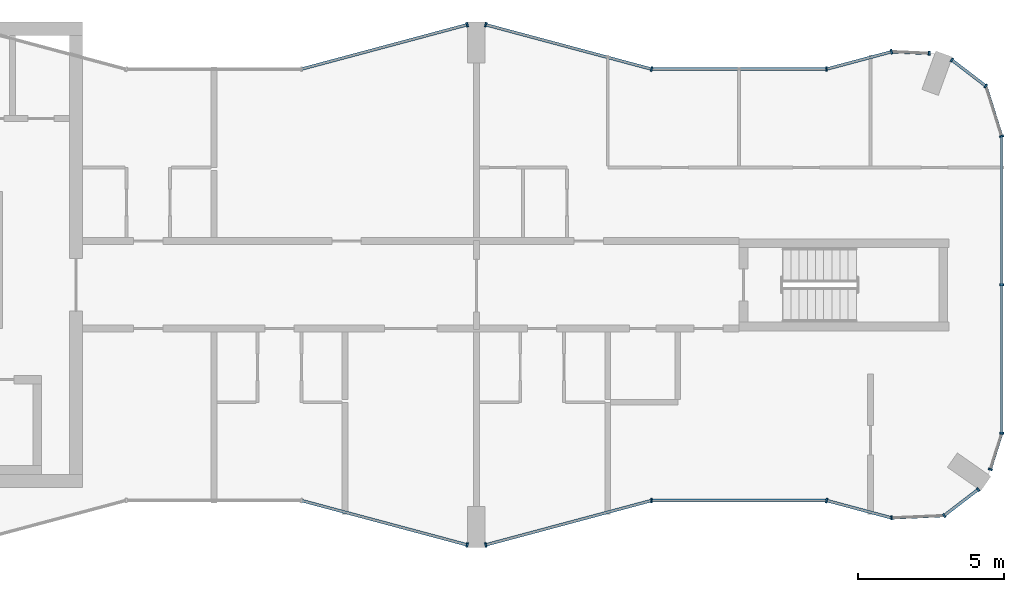
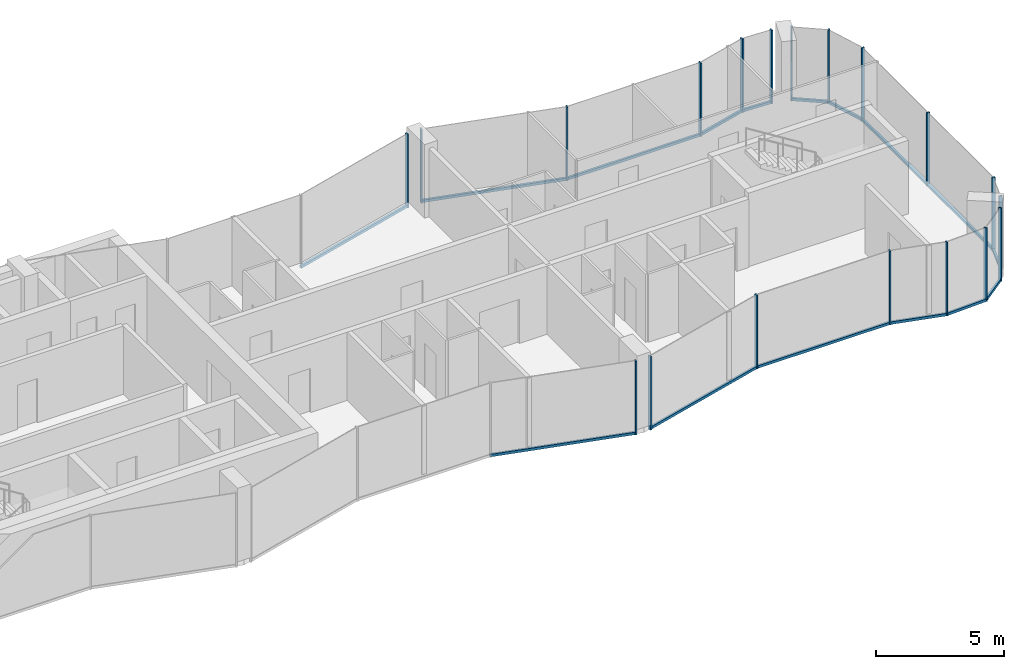
# One storey, part 5 of 10: 34 members, 15 elements without a shape of their own.
"""IFC4 building model written with IfcOpenShell, lengths in metres."""

from ifc_helpers import new_model, si_unit, direction, frame, origin, origin_2d, place, context, subcontext, project, spatial, rectangle, extrude, material, layer, layer_set, material_profile, profile_set, type_object, element, aggregate, save


model = new_model("IFC4")

# Units and contexts
model_context = context("Model", 3, precision=1e-05, world=origin(), true_north=direction((0.0, 1.0)))
body_context = subcontext(model_context, "Body", "Model", "MODEL_VIEW")
ifc_project = project(units=[si_unit("LENGTHUNIT", "METRE"), si_unit("AREAUNIT", "SQUARE_METRE"), si_unit("VOLUMEUNIT", "CUBIC_METRE"), si_unit("PLANEANGLEUNIT", "RADIAN"), si_unit("MASSUNIT", "GRAM", prefix="KILO")], contexts=[model_context])

# Site, building, storey
site_placement = place(None, origin())
site = spatial("IfcSite", under=ifc_project, at=site_placement, CompositionType="ELEMENT")
building_placement = place(site_placement, origin())
building = spatial("IfcBuilding", under=site, at=building_placement, Name="Plateau Cross Towers", CompositionType="ELEMENT")
storey_placement = place(building_placement, frame((0.0, 0.0, 270.39990234375)))
storey = spatial("IfcBuildingStorey", under=building, at=storey_placement, Name="L71", CompositionType="ELEMENT", Elevation=270.39990234375)

# Curtain wall, member
ifc_material_1 = material(Name="Dark low-iron glass", Category="glass")
ifc_layer_1 = layer(ifc_material_1, 0.239990234375)
ifc_layer_set_1 = layer_set([ifc_layer_1], Name="Dark low-iron glass")
curtain_wall_type_1 = type_object("IfcCurtainWallType", Name="Curtain wall flush unitised CW-B", PredefinedType="NOTDEFINED", material=ifc_layer_set_1)
curtain_wall_1_placement = place(storey_placement, origin())
curtain_wall_1 = element("IfcCurtainWall", 1, at=curtain_wall_1_placement, inside=storey, type_object=curtain_wall_type_1, Name="ENV/A/L71/A502_10", PredefinedType="NOTDEFINED")
ifc_material_2 = material(Name="Black anodised aluminium", Category="aluminium")
ifc_material_profile_1 = material_profile(ifc_material_2, rectangle(XDim=0.06005859375, YDim=0.139892578125, at=origin_2d()), Name="MULLION 60x140")
ifc_profile_set_1 = profile_set([ifc_material_profile_1], Name="Black anodised aluminium")
member_type_1 = type_object("IfcMemberType", Name="Mullion 60x140 flush unitised", PredefinedType="MULLION", material=ifc_profile_set_1)
member_1_placement = place(storey_placement, frame((50.223876953125, 1.01123046875, -0.25), z_axis=(0.0, 0.0, 1.0), x_axis=(0.999043701491, 0.043722791671, 0.0)))
member_1 = element("IfcMember", 2, at=member_1_placement, type_object=member_type_1, Name="CW-B mullion 1", PredefinedType="MULLION", context=body_context, shape_type="SweptSolid", body=[
    extrude(rectangle(XDim=0.06005859375, YDim=0.139892578125, at=origin_2d()), origin(), (0.0, 0.0, 1.0), 3.5),
])

# Curtain wall, members
curtain_wall_2_placement = place(storey_placement, origin())
curtain_wall_2 = element("IfcCurtainWall", 3, at=curtain_wall_2_placement, inside=storey, type_object=curtain_wall_type_1, Name="ENV/A/L71/A520_11", PredefinedType="NOTDEFINED")
member_2_placement = place(storey_placement, frame((52.0263671875, 1.090087890625, -0.25), z_axis=(0.0, 0.0, 1.0), x_axis=(0.793315514529, 0.608810721331, 0.0)))
member_2 = element("IfcMember", 4, at=member_2_placement, type_object=member_type_1, Name="CW-B mullion 1", PredefinedType="MULLION", context=body_context, shape_type="SweptSolid", body=[
    extrude(rectangle(XDim=0.06005859375, YDim=0.139892578125, at=origin_2d()), origin(), (0.0, 0.0, 1.0), 3.5),
])
member_3_placement = place(storey_placement, frame((53.193603515625, 1.986083984375, -0.25), z_axis=(0.0, 0.0, 1.0), x_axis=(0.793315514529, 0.608810721331, 0.0)))
member_3 = element("IfcMember", 5, at=member_3_placement, type_object=member_type_1, Name="CW-B mullion 2", PredefinedType="MULLION", context=body_context, shape_type="SweptSolid", body=[
    extrude(rectangle(XDim=0.06005859375, YDim=0.139892578125, at=origin_2d()), origin(), (0.0, 0.0, 1.0), 3.5),
])

# Curtain wall, member
curtain_wall_3_placement = place(storey_placement, origin())
curtain_wall_3 = element("IfcCurtainWall", 6, at=curtain_wall_3_placement, inside=storey, type_object=curtain_wall_type_1, Name="ENV/A/L71/A536_27", PredefinedType="NOTDEFINED")
member_4_placement = place(storey_placement, frame((53.611083984375, 2.67529296875, -0.25), z_axis=(0.0, 0.0, 1.0), x_axis=(0.300686174994, 0.95372313811, 0.0)))
member_4 = element("IfcMember", 7, at=member_4_placement, type_object=member_type_1, Name="CW-B mullion 1", PredefinedType="MULLION", context=body_context, shape_type="SweptSolid", body=[
    extrude(rectangle(XDim=0.06005859375, YDim=0.139892578125, at=origin_2d()), origin(), (0.0, 0.0, 1.0), 3.5),
])

# Curtain wall, members
curtain_wall_4_placement = place(storey_placement, origin())
curtain_wall_4 = element("IfcCurtainWall", 8, at=curtain_wall_4_placement, inside=storey, type_object=curtain_wall_type_1, Name="ENV/A/L71/A540_39", PredefinedType="NOTDEFINED")
member_5_placement = place(storey_placement, frame((54.0, 3.9091796875, -0.25), z_axis=(0.0, 0.0, 1.0), x_axis=(0.0, 1.0, 0.0)))
member_5 = element("IfcMember", 9, at=member_5_placement, type_object=member_type_1, Name="CW-B mullion 1", PredefinedType="MULLION", context=body_context, shape_type="SweptSolid", body=[
    extrude(rectangle(XDim=0.06005859375, YDim=0.139892578125, at=origin_2d()), origin(), (0.0, 0.0, 1.0), 3.5),
])
member_6_placement = place(storey_placement, frame((54.0, 9.0, -0.25), z_axis=(0.0, 0.0, 1.0), x_axis=(0.0, 1.0, 0.0)))
member_6 = element("IfcMember", 10, at=member_6_placement, type_object=member_type_1, Name="CW-B mullion 2", PredefinedType="MULLION", context=body_context, shape_type="SweptSolid", body=[
    extrude(rectangle(XDim=0.06005859375, YDim=0.139892578125, at=origin_2d()), origin(), (0.0, 0.0, 1.0), 3.5),
])

# Curtain wall, member
curtain_wall_5_placement = place(storey_placement, origin())
curtain_wall_5 = element("IfcCurtainWall", 11, at=curtain_wall_5_placement, inside=storey, type_object=curtain_wall_type_1, Name="ENV/A/L71/A540_141", PredefinedType="NOTDEFINED")
member_7_placement = place(storey_placement, frame((54.0, 14.0908203125, -0.25), z_axis=(0.0, 0.0, 1.0), x_axis=(-0.300686174994, 0.95372313811, 0.0)))
member_7 = element("IfcMember", 12, at=member_7_placement, type_object=member_type_1, Name="CW-B mullion 1", PredefinedType="MULLION", context=body_context, shape_type="SweptSolid", body=[
    extrude(rectangle(XDim=0.06005859375, YDim=0.139892578125, at=origin_2d()), origin(), (0.0, 0.0, 1.0), 3.5),
])

# Curtain wall, members
curtain_wall_6_placement = place(storey_placement, origin())
curtain_wall_6 = element("IfcCurtainWall", 13, at=curtain_wall_6_placement, inside=storey, type_object=curtain_wall_type_1, Name="ENV/A/L71/A535_158", PredefinedType="NOTDEFINED")
member_8_placement = place(storey_placement, frame((53.45751953125, 15.8115234375, -0.25), z_axis=(0.0, 0.0, 1.0), x_axis=(-0.793315514529, 0.608810721331, 0.0)))
member_8 = element("IfcMember", 14, at=member_8_placement, type_object=member_type_1, Name="CW-B mullion 1", PredefinedType="MULLION", context=body_context, shape_type="SweptSolid", body=[
    extrude(rectangle(XDim=0.06005859375, YDim=0.139892578125, at=origin_2d()), origin(), (0.0, 0.0, 1.0), 3.5),
])
member_9_placement = place(storey_placement, frame((52.290283203125, 16.707275390625, -0.25), z_axis=(0.0, 0.0, 1.0), x_axis=(-0.793315514529, 0.608810721331, 0.0)))
member_9 = element("IfcMember", 15, at=member_9_placement, type_object=member_type_1, Name="CW-B mullion 2", PredefinedType="MULLION", context=body_context, shape_type="SweptSolid", body=[
    extrude(rectangle(XDim=0.06005859375, YDim=0.139892578125, at=origin_2d()), origin(), (0.0, 0.0, 1.0), 3.5),
])

# Curtain wall, member
curtain_wall_7_placement = place(storey_placement, origin())
curtain_wall_7 = element("IfcCurtainWall", 16, at=curtain_wall_7_placement, inside=storey, type_object=curtain_wall_type_1, Name="ENV/A/L71/A515_169", PredefinedType="NOTDEFINED")
member_10_placement = place(storey_placement, frame((51.516357421875, 16.93212890625, -0.25), z_axis=(0.0, 0.0, 1.0), x_axis=(-0.999043701491, 0.043722791671, 0.0)))
member_10 = element("IfcMember", 17, at=member_10_placement, type_object=member_type_1, Name="CW-B mullion 1", PredefinedType="MULLION", context=body_context, shape_type="SweptSolid", body=[
    extrude(rectangle(XDim=0.06005859375, YDim=0.139892578125, at=origin_2d()), origin(), (0.0, 0.0, 1.0), 3.5),
])

ifc_layer_2 = layer(ifc_material_1, 0.260009765625)
ifc_layer_set_2 = layer_set([ifc_layer_2], Name="Dark low-iron glass")
curtain_wall_type_2 = type_object("IfcCurtainWallType", Name="Curtain wall fluted unitised CW-A", PredefinedType="NOTDEFINED", material=ifc_layer_set_2)
curtain_wall_8_placement = place(storey_placement, origin())
curtain_wall_8 = element("IfcCurtainWall", 18, at=curtain_wall_8_placement, inside=storey, type_object=curtain_wall_type_2, Name="ENV/A/L71/A300_16", PredefinedType="NOTDEFINED")
ifc_material_profile_2 = material_profile(ifc_material_2, rectangle(XDim=0.06005859375, YDim=0.159912109375, at=origin_2d()), Name="MULLION 60x160")
ifc_profile_set_2 = profile_set([ifc_material_profile_2], Name="Black anodised aluminium")
member_type_2 = type_object("IfcMemberType", Name="Mullion 60x160 fluted unitised", PredefinedType="MULLION", material=ifc_profile_set_2)
member_11_placement = place(storey_placement, frame((35.68212890625, 0.085205078125, -0.25), z_axis=(0.0, 0.0, 1.0), x_axis=(0.965957983404, -0.258699003279, 0.0)))
member_11 = element("IfcMember", 19, at=member_11_placement, type_object=member_type_2, Name="CW-A mullion 2", PredefinedType="MULLION", context=body_context, shape_type="SweptSolid", body=[
    extrude(rectangle(XDim=0.06005859375, YDim=0.159912109375, at=origin_2d()), origin(), (0.0, 0.0, 1.0), 3.5),
])

curtain_wall_9_placement = place(storey_placement, origin())
curtain_wall_9 = element("IfcCurtainWall", 20, at=curtain_wall_9_placement, inside=storey, type_object=curtain_wall_type_2, Name="ENV/A/L71/A363_1", PredefinedType="NOTDEFINED")
member_12_placement = place(storey_placement, frame((36.31787109375, 0.085205078125, -0.25), z_axis=(0.0, 0.0, 1.0), x_axis=(0.965957983404, 0.258699003279, 0.0)))
member_12 = element("IfcMember", 21, at=member_12_placement, type_object=member_type_2, Name="CW-A mullion 1", PredefinedType="MULLION", context=body_context, shape_type="SweptSolid", body=[
    extrude(rectangle(XDim=0.06005859375, YDim=0.159912109375, at=origin_2d()), origin(), (0.0, 0.0, 1.0), 3.5),
])

curtain_wall_10_placement = place(storey_placement, origin())
curtain_wall_10 = element("IfcCurtainWall", 22, at=curtain_wall_10_placement, inside=storey, type_object=curtain_wall_type_2, Name="ENV/A/L71/A420_16", PredefinedType="NOTDEFINED")
member_13_placement = place(storey_placement, frame((42.0, 1.60693359375, -0.25), z_axis=(0.0, 0.0, 1.0), x_axis=(1.0, 0.0, 0.0)))
member_13 = element("IfcMember", 23, at=member_13_placement, type_object=member_type_2, Name="CW-A mullion 1", PredefinedType="MULLION", context=body_context, shape_type="SweptSolid", body=[
    extrude(rectangle(XDim=0.06005859375, YDim=0.159912109375, at=origin_2d()), origin(), (0.0, 0.0, 1.0), 3.5),
])

curtain_wall_11_placement = place(storey_placement, origin())
curtain_wall_11 = element("IfcCurtainWall", 24, at=curtain_wall_11_placement, inside=storey, type_object=curtain_wall_type_2, Name="ENV/A/L71/A480_16", PredefinedType="NOTDEFINED")
member_14_placement = place(storey_placement, frame((48.0, 1.60693359375, -0.25), z_axis=(0.0, 0.0, 1.0), x_axis=(0.965957962328, -0.258699081978, 0.0)))
member_14 = element("IfcMember", 25, at=member_14_placement, type_object=member_type_2, Name="CW-A mullion 1", PredefinedType="MULLION", context=body_context, shape_type="SweptSolid", body=[
    extrude(rectangle(XDim=0.06005859375, YDim=0.159912109375, at=origin_2d()), origin(), (0.0, 0.0, 1.0), 3.5),
])

curtain_wall_12_placement = place(storey_placement, origin())
curtain_wall_12 = element("IfcCurtainWall", 26, at=curtain_wall_12_placement, inside=storey, type_object=curtain_wall_type_2, Name="ENV/A/L71/A502_170", PredefinedType="NOTDEFINED")
member_15_placement = place(storey_placement, frame((50.223876953125, 16.98876953125, -0.25), z_axis=(0.0, 0.0, 1.0), x_axis=(-0.965957962328, -0.258699081978, 0.0)))
member_15 = element("IfcMember", 27, at=member_15_placement, type_object=member_type_2, Name="CW-A mullion 1", PredefinedType="MULLION", context=body_context, shape_type="SweptSolid", body=[
    extrude(rectangle(XDim=0.06005859375, YDim=0.159912109375, at=origin_2d()), origin(), (0.0, 0.0, 1.0), 3.5),
])

curtain_wall_13_placement = place(storey_placement, origin())
curtain_wall_13 = element("IfcCurtainWall", 28, at=curtain_wall_13_placement, inside=storey, type_object=curtain_wall_type_2, Name="ENV/A/L71/A480_164", PredefinedType="NOTDEFINED")
member_16_placement = place(storey_placement, frame((48.0, 16.39306640625, -0.25), z_axis=(0.0, 0.0, 1.0), x_axis=(-1.0, 0.0, 0.0)))
member_16 = element("IfcMember", 29, at=member_16_placement, type_object=member_type_2, Name="CW-A mullion 1", PredefinedType="MULLION", context=body_context, shape_type="SweptSolid", body=[
    extrude(rectangle(XDim=0.06005859375, YDim=0.159912109375, at=origin_2d()), origin(), (0.0, 0.0, 1.0), 3.5),
])

# Curtain wall, members
curtain_wall_14_placement = place(storey_placement, origin())
curtain_wall_14 = element("IfcCurtainWall", 30, at=curtain_wall_14_placement, inside=storey, type_object=curtain_wall_type_2, Name="ENV/A/L71/A420_164", PredefinedType="NOTDEFINED")
member_17_placement = place(storey_placement, frame((42.0, 16.39306640625, -0.25), z_axis=(0.0, 0.0, 1.0), x_axis=(-0.965957983404, 0.258699003279, 0.0)))
member_17 = element("IfcMember", 31, at=member_17_placement, type_object=member_type_2, Name="CW-A mullion 1", PredefinedType="MULLION", context=body_context, shape_type="SweptSolid", body=[
    extrude(rectangle(XDim=0.06005859375, YDim=0.159912109375, at=origin_2d()), origin(), (0.0, 0.0, 1.0), 3.5),
])
member_18_placement = place(storey_placement, frame((36.31787109375, 17.914794921875, -0.25), z_axis=(0.0, 0.0, 1.0), x_axis=(-0.965957983404, 0.258699003279, 0.0)))
member_18 = element("IfcMember", 32, at=member_18_placement, type_object=member_type_2, Name="CW-A mullion 2", PredefinedType="MULLION", context=body_context, shape_type="SweptSolid", body=[
    extrude(rectangle(XDim=0.06005859375, YDim=0.159912109375, at=origin_2d()), origin(), (0.0, 0.0, 1.0), 3.5),
])

# Curtain wall, member
curtain_wall_15_placement = place(storey_placement, origin())
curtain_wall_15 = element("IfcCurtainWall", 33, at=curtain_wall_15_placement, inside=storey, type_object=curtain_wall_type_2, Name="ENV/A/L71/A357_179", PredefinedType="NOTDEFINED")
member_19_placement = place(storey_placement, frame((35.68212890625, 17.914794921875, -0.25), z_axis=(0.0, 0.0, 1.0), x_axis=(-0.965957983404, -0.258699003279, 0.0)))
member_19 = element("IfcMember", 34, at=member_19_placement, type_object=member_type_2, Name="CW-A mullion 1", PredefinedType="MULLION", context=body_context, shape_type="SweptSolid", body=[
    extrude(rectangle(XDim=0.06005859375, YDim=0.159912109375, at=origin_2d()), origin(), (0.0, 0.0, 1.0), 3.5),
])

# Member
ifc_material_profile_3 = material_profile(ifc_material_2, rectangle(XDim=0.10009765625, YDim=0.1201171875, at=origin_2d()), Name="TRANSOM 100x120")
ifc_profile_set_3 = profile_set([ifc_material_profile_3], Name="Black anodised aluminium")
member_type_3 = type_object("IfcMemberType", Name="Transom 100x120 flush unitised", PredefinedType="USERDEFINED", material=ifc_profile_set_3)
member_20_placement = place(storey_placement, frame((50.223876953125, 1.01123046875, -0.18994140625), z_axis=(0.999044377355, 0.043707345779, 0.0), x_axis=(-0.043707345779, 0.999044377355, 0.0)))
member_20 = element("IfcMember", 35, at=member_20_placement, type_object=member_type_3, Name="CW-B transom", ObjectType="TRANSOM", PredefinedType="USERDEFINED", context=body_context, shape_type="SweptSolid", body=[
    extrude(rectangle(XDim=0.10009765625, YDim=0.1201171875, at=origin_2d()), origin(), (0.0, 0.0, 1.0), 1.80419921875),
])

aggregate(curtain_wall_1, [member_1, member_20])

member_21_placement = place(storey_placement, frame((52.0263671875, 1.090087890625, -0.18994140625), z_axis=(0.793240368515, 0.608908628415, 0.0), x_axis=(-0.608908628415, 0.793240368515, 0.0)))
member_21 = element("IfcMember", 36, at=member_21_placement, type_object=member_type_3, Name="CW-B transom", ObjectType="TRANSOM", PredefinedType="USERDEFINED", context=body_context, shape_type="SweptSolid", body=[
    extrude(rectangle(XDim=0.10009765625, YDim=0.1201171875, at=origin_2d()), origin(), (0.0, 0.0, 1.0), 1.471435546875),
])

aggregate(curtain_wall_2, [member_2, member_3, member_21])

member_22_placement = place(storey_placement, frame((53.611083984375, 2.67529296875, -0.18994140625), z_axis=(0.300616528216, 0.953745093284, 0.0), x_axis=(-0.953745093284, 0.300616528216, 0.0)))
member_22 = element("IfcMember", 37, at=member_22_placement, type_object=member_type_3, Name="CW-B transom", ObjectType="TRANSOM", PredefinedType="USERDEFINED", context=body_context, shape_type="SweptSolid", body=[
    extrude(rectangle(XDim=0.10009765625, YDim=0.1201171875, at=origin_2d()), origin(), (0.0, 0.0, 1.0), 1.293701171875),
])

aggregate(curtain_wall_3, [member_4, member_22])

member_23_placement = place(storey_placement, frame((54.0, 3.9091796875, -0.18994140625), z_axis=(0.0, 1.0, 0.0), x_axis=(-1.0, 0.0, 0.0)))
member_23 = element("IfcMember", 38, at=member_23_placement, type_object=member_type_3, Name="CW-B transom", ObjectType="TRANSOM", PredefinedType="USERDEFINED", context=body_context, shape_type="SweptSolid", body=[
    extrude(rectangle(XDim=0.10009765625, YDim=0.1201171875, at=origin_2d()), origin(), (0.0, 0.0, 1.0), 10.181640625),
])

aggregate(curtain_wall_4, [member_5, member_6, member_23])

member_24_placement = place(storey_placement, frame((54.0, 14.0908203125, -0.18994140625), z_axis=(-0.30067799945, 0.953725715626, 0.0), x_axis=(-0.953725715626, -0.30067799945, 0.0)))
member_24 = element("IfcMember", 39, at=member_24_placement, type_object=member_type_3, Name="CW-B transom", ObjectType="TRANSOM", PredefinedType="USERDEFINED", context=body_context, shape_type="SweptSolid", body=[
    extrude(rectangle(XDim=0.10009765625, YDim=0.1201171875, at=origin_2d()), origin(), (0.0, 0.0, 1.0), 1.80419921875),
])

aggregate(curtain_wall_5, [member_7, member_24])

member_25_placement = place(storey_placement, frame((53.45751953125, 15.8115234375, -0.18994140625), z_axis=(-0.793320508571, 0.608804213751, 0.0), x_axis=(-0.608804213751, -0.793320508571, 0.0)))
member_25 = element("IfcMember", 40, at=member_25_placement, type_object=member_type_3, Name="CW-B transom", ObjectType="TRANSOM", PredefinedType="USERDEFINED", context=body_context, shape_type="SweptSolid", body=[
    extrude(rectangle(XDim=0.10009765625, YDim=0.1201171875, at=origin_2d()), origin(), (0.0, 0.0, 1.0), 1.471435546875),
])

aggregate(curtain_wall_6, [member_8, member_9, member_25])

member_26_placement = place(storey_placement, frame((51.516357421875, 16.93212890625, -0.18994140625), z_axis=(-0.999041144614, 0.043781175963, 0.0), x_axis=(-0.043781175963, -0.999041144614, 0.0)))
member_26 = element("IfcMember", 41, at=member_26_placement, type_object=member_type_3, Name="CW-B transom", ObjectType="TRANSOM", PredefinedType="USERDEFINED", context=body_context, shape_type="SweptSolid", body=[
    extrude(rectangle(XDim=0.10009765625, YDim=0.1201171875, at=origin_2d()), origin(), (0.0, 0.0, 1.0), 1.293701171875),
])

aggregate(curtain_wall_7, [member_10, member_26])

ifc_material_profile_4 = material_profile(ifc_material_2, rectangle(XDim=0.10009765625, YDim=0.1201171875, at=origin_2d()), Name="TRANSOM 100x120")
ifc_profile_set_4 = profile_set([ifc_material_profile_4], Name="Black anodised aluminium")
member_type_4 = type_object("IfcMemberType", Name="Transom 100x120 fluted unitised", PredefinedType="USERDEFINED", material=ifc_profile_set_4)
member_27_placement = place(storey_placement, frame((30.0, 1.60693359375, -0.18994140625), z_axis=(0.965959534794, -0.258693210465, 0.0), x_axis=(0.258693210465, 0.965959534794, 0.0)))
member_27 = element("IfcMember", 42, at=member_27_placement, type_object=member_type_4, Name="CW-A transom", ObjectType="TRANSOM", PredefinedType="USERDEFINED", context=body_context, shape_type="SweptSolid", body=[
    extrude(rectangle(XDim=0.10009765625, YDim=0.1201171875, at=origin_2d()), origin(), (0.0, 0.0, 1.0), 5.88232421875),
])

aggregate(curtain_wall_8, [member_11, member_27])

member_28_placement = place(storey_placement, frame((36.31787109375, 0.085205078125, -0.18994140625), z_axis=(0.965959534794, 0.258693210465, 0.0), x_axis=(-0.258693210465, 0.965959534794, 0.0)))
member_28 = element("IfcMember", 43, at=member_28_placement, type_object=member_type_4, Name="CW-A transom", ObjectType="TRANSOM", PredefinedType="USERDEFINED", context=body_context, shape_type="SweptSolid", body=[
    extrude(rectangle(XDim=0.10009765625, YDim=0.1201171875, at=origin_2d()), origin(), (0.0, 0.0, 1.0), 5.88232421875),
])

aggregate(curtain_wall_9, [member_12, member_28])

member_29_placement = place(storey_placement, frame((42.0, 1.60693359375, -0.18994140625), z_axis=(1.0, 0.0, 0.0), x_axis=(0.0, 1.0, 0.0)))
member_29 = element("IfcMember", 44, at=member_29_placement, type_object=member_type_4, Name="CW-A transom", ObjectType="TRANSOM", PredefinedType="USERDEFINED", context=body_context, shape_type="SweptSolid", body=[
    extrude(rectangle(XDim=0.10009765625, YDim=0.1201171875, at=origin_2d()), origin(), (0.0, 0.0, 1.0), 6.0),
])

aggregate(curtain_wall_10, [member_13, member_29])

member_30_placement = place(storey_placement, frame((48.0, 1.60693359375, -0.18994140625), z_axis=(0.965945685136, -0.258744919501, 0.0), x_axis=(0.258744919501, 0.965945685136, 0.0)))
member_30 = element("IfcMember", 45, at=member_30_placement, type_object=member_type_4, Name="CW-A transom", ObjectType="TRANSOM", PredefinedType="USERDEFINED", context=body_context, shape_type="SweptSolid", body=[
    extrude(rectangle(XDim=0.10009765625, YDim=0.1201171875, at=origin_2d()), origin(), (0.0, 0.0, 1.0), 2.30224609375),
])

aggregate(curtain_wall_11, [member_14, member_30])

member_31_placement = place(storey_placement, frame((50.223876953125, 16.98876953125, -0.18994140625), z_axis=(-0.965945685136, -0.258744919501, 0.0), x_axis=(0.258744919501, -0.965945685136, 0.0)))
member_31 = element("IfcMember", 46, at=member_31_placement, type_object=member_type_4, Name="CW-A transom", ObjectType="TRANSOM", PredefinedType="USERDEFINED", context=body_context, shape_type="SweptSolid", body=[
    extrude(rectangle(XDim=0.10009765625, YDim=0.1201171875, at=origin_2d()), origin(), (0.0, 0.0, 1.0), 2.30224609375),
])

aggregate(curtain_wall_12, [member_15, member_31])

member_32_placement = place(storey_placement, frame((48.0, 16.39306640625, -0.18994140625), z_axis=(-1.0, 0.0, 0.0), x_axis=(0.0, -1.0, 0.0)))
member_32 = element("IfcMember", 47, at=member_32_placement, type_object=member_type_4, Name="CW-A transom", ObjectType="TRANSOM", PredefinedType="USERDEFINED", context=body_context, shape_type="SweptSolid", body=[
    extrude(rectangle(XDim=0.10009765625, YDim=0.1201171875, at=origin_2d()), origin(), (0.0, 0.0, 1.0), 6.0),
])

aggregate(curtain_wall_13, [member_16, member_32])

member_33_placement = place(storey_placement, frame((42.0, 16.39306640625, -0.18994140625), z_axis=(-0.965959534794, 0.258693210465, 0.0), x_axis=(-0.258693210465, -0.965959534794, 0.0)))
member_33 = element("IfcMember", 48, at=member_33_placement, type_object=member_type_4, Name="CW-A transom", ObjectType="TRANSOM", PredefinedType="USERDEFINED", context=body_context, shape_type="SweptSolid", body=[
    extrude(rectangle(XDim=0.10009765625, YDim=0.1201171875, at=origin_2d()), origin(), (0.0, 0.0, 1.0), 5.88232421875),
])

aggregate(curtain_wall_14, [member_17, member_18, member_33])

member_34_placement = place(storey_placement, frame((35.68212890625, 17.914794921875, -0.18994140625), z_axis=(-0.965959534794, -0.258693210465, 0.0), x_axis=(0.258693210465, -0.965959534794, 0.0)))
member_34 = element("IfcMember", 49, at=member_34_placement, type_object=member_type_4, Name="CW-A transom", ObjectType="TRANSOM", PredefinedType="USERDEFINED", context=body_context, shape_type="SweptSolid", body=[
    extrude(rectangle(XDim=0.10009765625, YDim=0.1201171875, at=origin_2d()), origin(), (0.0, 0.0, 1.0), 5.88232421875),
])

aggregate(curtain_wall_15, [member_19, member_34])

save(model, "model.ifc")
